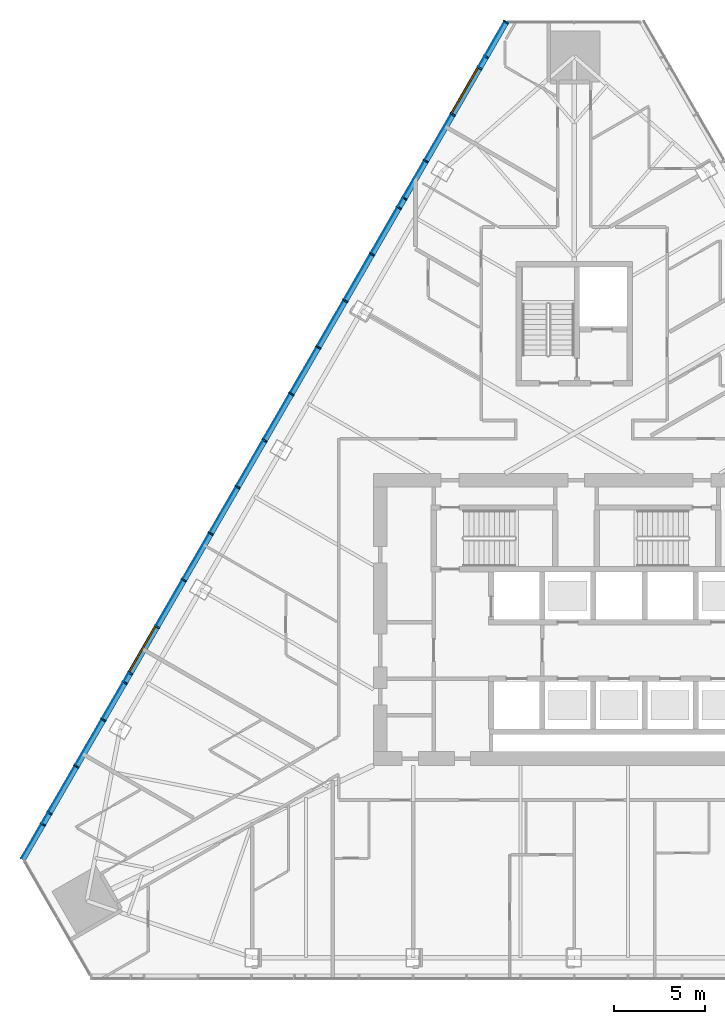
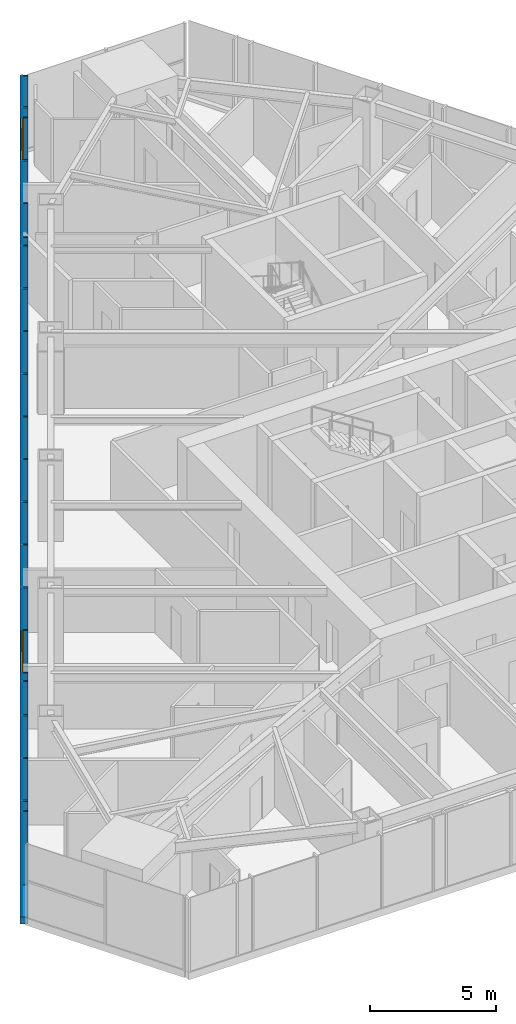
# One storey, part 5 of 19: 23 members, 20 plates, 2 windows, 2 openings, 1 element without a shape of its own.
"""IFC4 building model written with IfcOpenShell, lengths in metres."""

from ifc_helpers import new_model, si_unit, direction, frame, frame_2d, origin, origin_2d, place, context, subcontext, project, spatial, polyline, rectangle, outline, extrude, material, layer, layer_set, material_profile, profile_set, type_object, element, fill, aggregate, save


model = new_model("IFC4")

# Units and contexts
model_context = context("Model", 3, precision=1e-05, world=origin(), true_north=direction((0.0, 1.0)))
body_context = subcontext(model_context, "Body", "Model", "MODEL_VIEW")
ifc_project = project(units=[si_unit("LENGTHUNIT", "METRE"), si_unit("AREAUNIT", "SQUARE_METRE"), si_unit("VOLUMEUNIT", "CUBIC_METRE"), si_unit("PLANEANGLEUNIT", "RADIAN"), si_unit("MASSUNIT", "GRAM", prefix="KILO")], contexts=[model_context])

# Site, building, storey
site_placement = place(None, origin())
site = spatial("IfcSite", under=ifc_project, at=site_placement, CompositionType="ELEMENT")
building_placement = place(site_placement, origin())
building = spatial("IfcBuilding", under=site, at=building_placement, Name="Firuza Gate Tower and Library", CompositionType="ELEMENT")
storey_placement = place(building_placement, frame((0.0, 0.0, 183.10009765625)))
storey = spatial("IfcBuildingStorey", under=building, at=storey_placement, Name="L42", CompositionType="ELEMENT", Elevation=183.10009765625)

# Curtain wall, openings, members, plates, windows
ifc_material_1 = material(Name="Aluminium 6063-T6", Category="aluminium")
ifc_layer_1 = layer(ifc_material_1, 0.14990234375)
ifc_layer_set_1 = layer_set([ifc_layer_1], Name="Unitised curtain wall, hotel")
curtain_wall_type = type_object("IfcCurtainWallType", Name="Unitised curtain wall, hotel", PredefinedType="NOTDEFINED", material=ifc_layer_set_1)
curtain_wall_placement = place(storey_placement, origin())
curtain_wall = element("IfcCurtainWall", 1, at=curtain_wall_placement, inside=storey, type_object=curtain_wall_type, Name="CW2 L42 W face", PredefinedType="NOTDEFINED")
opening_1_placement = place(curtain_wall_placement, frame((69.71630859375, 105.21923828125, 0.14990234375), z_axis=(0.0, 0.0, 1.0), x_axis=(-0.5, -0.866025, 0.0)))
opening_1 = element("IfcOpeningElement", 2, at=opening_1_placement, cuts=curtain_wall, Name="Opening WD1-005", PredefinedType="OPENING", context=body_context, shape_type="SweptSolid", body=[
    extrude(rectangle(XDim=2.8662109375, YDim=3.550048828125, at=frame_2d((1.43310546875, 1.77490234375))), frame((0.0, 0.0849609375, 0.0), z_axis=(0.0, -1.0, 0.0), x_axis=(1.0, 0.0, 0.0)), (0.0, 0.0, 1.0), 0.169921875),
])
opening_2_placement = place(curtain_wall_placement, frame((52.039794921875, 74.6025390625, 0.14990234375), z_axis=(0.0, 0.0, 1.0), x_axis=(-0.5, -0.866025, 0.0)))
opening_2 = element("IfcOpeningElement", 3, at=opening_2_placement, cuts=curtain_wall, Name="Opening WD1-006", PredefinedType="OPENING", context=body_context, shape_type="SweptSolid", body=[
    extrude(rectangle(XDim=2.8662109375, YDim=3.550048828125, at=frame_2d((1.43310546875, 1.77490234375))), frame((0.0, 0.0849609375, 0.0), z_axis=(0.0, -1.0, 0.0), x_axis=(1.0, 0.0, 0.0)), (0.0, 0.0, 1.0), 0.169921875),
])
ifc_material_2 = material(Name="Aluminium 6063-T6", Category="aluminium")
ifc_material_profile_1 = material_profile(ifc_material_2, rectangle(XDim=0.320068359375, YDim=0.080078125, at=origin_2d()))
ifc_profile_set_1 = profile_set([ifc_material_profile_1], Name="Aluminium 6063-T6")
member_type_1 = type_object("IfcMemberType", Name="Curtain wall mullion 80x320", PredefinedType="MULLION", material=ifc_profile_set_1)
member_1_placement = place(storey_placement, frame((71.26318359375, 107.72802734375, 0.14990234375), z_axis=(0.0, 0.0, 1.0), x_axis=(0.866025403784, -0.5, 0.0)))
member_1 = element("IfcMember", 4, at=member_1_placement, type_object=member_type_1, Name="Mullion", PredefinedType="MULLION", context=body_context, shape_type="SweptSolid", body=[
    extrude(rectangle(XDim=0.320068359375, YDim=0.080078125, at=origin_2d()), origin(), (0.0, 0.0, 1.0), 3.550048828125),
])
member_2_placement = place(storey_placement, frame((69.81005859375, 105.211181640625, 0.14990234375), z_axis=(0.0, 0.0, 1.0), x_axis=(0.866025403784, -0.5, 0.0)))
member_2 = element("IfcMember", 5, at=member_2_placement, type_object=member_type_1, Name="Mullion", PredefinedType="MULLION", context=body_context, shape_type="SweptSolid", body=[
    extrude(rectangle(XDim=0.320068359375, YDim=0.080078125, at=origin_2d()), origin(), (0.0, 0.0, 1.0), 3.550048828125),
])
member_3_placement = place(storey_placement, frame((68.3369140625, 102.659912109375, 0.14990234375), z_axis=(0.0, 0.0, 1.0), x_axis=(0.866025403784, -0.5, 0.0)))
member_3 = element("IfcMember", 6, at=member_3_placement, type_object=member_type_1, Name="Mullion", PredefinedType="MULLION", context=body_context, shape_type="SweptSolid", body=[
    extrude(rectangle(XDim=0.320068359375, YDim=0.080078125, at=origin_2d()), origin(), (0.0, 0.0, 1.0), 3.550048828125),
])
member_4_placement = place(storey_placement, frame((66.864013671875, 100.1083984375, 0.14990234375), z_axis=(0.0, 0.0, 1.0), x_axis=(0.866025403784, -0.5, 0.0)))
member_4 = element("IfcMember", 7, at=member_4_placement, type_object=member_type_1, Name="Mullion", PredefinedType="MULLION", context=body_context, shape_type="SweptSolid", body=[
    extrude(rectangle(XDim=0.320068359375, YDim=0.080078125, at=origin_2d()), origin(), (0.0, 0.0, 1.0), 3.550048828125),
])
member_5_placement = place(storey_placement, frame((65.390869140625, 97.55712890625, 0.14990234375), z_axis=(0.0, 0.0, 1.0), x_axis=(0.866025403784, -0.5, 0.0)))
member_5 = element("IfcMember", 8, at=member_5_placement, type_object=member_type_1, Name="Mullion", PredefinedType="MULLION", context=body_context, shape_type="SweptSolid", body=[
    extrude(rectangle(XDim=0.320068359375, YDim=0.080078125, at=origin_2d()), origin(), (0.0, 0.0, 1.0), 3.550048828125),
])
member_6_placement = place(storey_placement, frame((63.917724609375, 95.005615234375, 0.14990234375), z_axis=(0.0, 0.0, 1.0), x_axis=(0.866025403784, -0.5, 0.0)))
member_6 = element("IfcMember", 9, at=member_6_placement, type_object=member_type_1, Name="Mullion", PredefinedType="MULLION", context=body_context, shape_type="SweptSolid", body=[
    extrude(rectangle(XDim=0.320068359375, YDim=0.080078125, at=origin_2d()), origin(), (0.0, 0.0, 1.0), 3.550048828125),
])
member_7_placement = place(storey_placement, frame((62.44482421875, 92.454345703125, 0.14990234375), z_axis=(0.0, 0.0, 1.0), x_axis=(0.866025403784, -0.5, 0.0)))
member_7 = element("IfcMember", 10, at=member_7_placement, type_object=member_type_1, Name="Mullion", PredefinedType="MULLION", context=body_context, shape_type="SweptSolid", body=[
    extrude(rectangle(XDim=0.320068359375, YDim=0.080078125, at=origin_2d()), origin(), (0.0, 0.0, 1.0), 3.550048828125),
])
member_8_placement = place(storey_placement, frame((60.9716796875, 89.90283203125, 0.14990234375), z_axis=(0.0, 0.0, 1.0), x_axis=(0.866025403784, -0.5, 0.0)))
member_8 = element("IfcMember", 11, at=member_8_placement, type_object=member_type_1, Name="Mullion", PredefinedType="MULLION", context=body_context, shape_type="SweptSolid", body=[
    extrude(rectangle(XDim=0.320068359375, YDim=0.080078125, at=origin_2d()), origin(), (0.0, 0.0, 1.0), 3.550048828125),
])
member_9_placement = place(storey_placement, frame((59.498779296875, 87.3515625, 0.14990234375), z_axis=(0.0, 0.0, 1.0), x_axis=(0.866025403784, -0.5, 0.0)))
member_9 = element("IfcMember", 12, at=member_9_placement, type_object=member_type_1, Name="Mullion", PredefinedType="MULLION", context=body_context, shape_type="SweptSolid", body=[
    extrude(rectangle(XDim=0.320068359375, YDim=0.080078125, at=origin_2d()), origin(), (0.0, 0.0, 1.0), 3.550048828125),
])
member_10_placement = place(storey_placement, frame((58.025634765625, 84.800048828125, 0.14990234375), z_axis=(0.0, 0.0, 1.0), x_axis=(0.866025403784, -0.5, 0.0)))
member_10 = element("IfcMember", 13, at=member_10_placement, type_object=member_type_1, Name="Mullion", PredefinedType="MULLION", context=body_context, shape_type="SweptSolid", body=[
    extrude(rectangle(XDim=0.320068359375, YDim=0.080078125, at=origin_2d()), origin(), (0.0, 0.0, 1.0), 3.550048828125),
])
member_11_placement = place(storey_placement, frame((56.552490234375, 82.248779296875, 0.14990234375), z_axis=(0.0, 0.0, 1.0), x_axis=(0.866025403784, -0.5, 0.0)))
member_11 = element("IfcMember", 14, at=member_11_placement, type_object=member_type_1, Name="Mullion", PredefinedType="MULLION", context=body_context, shape_type="SweptSolid", body=[
    extrude(rectangle(XDim=0.320068359375, YDim=0.080078125, at=origin_2d()), origin(), (0.0, 0.0, 1.0), 3.550048828125),
])
member_12_placement = place(storey_placement, frame((55.07958984375, 79.697265625, 0.14990234375), z_axis=(0.0, 0.0, 1.0), x_axis=(0.866025403784, -0.5, 0.0)))
member_12 = element("IfcMember", 15, at=member_12_placement, type_object=member_type_1, Name="Mullion", PredefinedType="MULLION", context=body_context, shape_type="SweptSolid", body=[
    extrude(rectangle(XDim=0.320068359375, YDim=0.080078125, at=origin_2d()), origin(), (0.0, 0.0, 1.0), 3.550048828125),
])
member_13_placement = place(storey_placement, frame((53.6064453125, 77.14599609375, 0.14990234375), z_axis=(0.0, 0.0, 1.0), x_axis=(0.866025403784, -0.5, 0.0)))
member_13 = element("IfcMember", 16, at=member_13_placement, type_object=member_type_1, Name="Mullion", PredefinedType="MULLION", context=body_context, shape_type="SweptSolid", body=[
    extrude(rectangle(XDim=0.320068359375, YDim=0.080078125, at=origin_2d()), origin(), (0.0, 0.0, 1.0), 3.550048828125),
])
member_14_placement = place(storey_placement, frame((52.133544921875, 74.594482421875, 0.14990234375), z_axis=(0.0, 0.0, 1.0), x_axis=(0.866025403784, -0.5, 0.0)))
member_14 = element("IfcMember", 17, at=member_14_placement, type_object=member_type_1, Name="Mullion", PredefinedType="MULLION", context=body_context, shape_type="SweptSolid", body=[
    extrude(rectangle(XDim=0.320068359375, YDim=0.080078125, at=origin_2d()), origin(), (0.0, 0.0, 1.0), 3.550048828125),
])
member_15_placement = place(storey_placement, frame((50.660400390625, 72.043212890625, 0.14990234375), z_axis=(0.0, 0.0, 1.0), x_axis=(0.866025403784, -0.5, 0.0)))
member_15 = element("IfcMember", 18, at=member_15_placement, type_object=member_type_1, Name="Mullion", PredefinedType="MULLION", context=body_context, shape_type="SweptSolid", body=[
    extrude(rectangle(XDim=0.320068359375, YDim=0.080078125, at=origin_2d()), origin(), (0.0, 0.0, 1.0), 3.550048828125),
])
member_16_placement = place(storey_placement, frame((49.187255859375, 69.49169921875, 0.14990234375), z_axis=(0.0, 0.0, 1.0), x_axis=(0.866025403784, -0.5, 0.0)))
member_16 = element("IfcMember", 19, at=member_16_placement, type_object=member_type_1, Name="Mullion", PredefinedType="MULLION", context=body_context, shape_type="SweptSolid", body=[
    extrude(rectangle(XDim=0.320068359375, YDim=0.080078125, at=origin_2d()), origin(), (0.0, 0.0, 1.0), 3.550048828125),
])
member_17_placement = place(storey_placement, frame((47.71435546875, 66.9404296875, 0.14990234375), z_axis=(0.0, 0.0, 1.0), x_axis=(0.866025403784, -0.5, 0.0)))
member_17 = element("IfcMember", 20, at=member_17_placement, type_object=member_type_1, Name="Mullion", PredefinedType="MULLION", context=body_context, shape_type="SweptSolid", body=[
    extrude(rectangle(XDim=0.320068359375, YDim=0.080078125, at=origin_2d()), origin(), (0.0, 0.0, 1.0), 3.550048828125),
])
member_18_placement = place(storey_placement, frame((46.2412109375, 64.388916015625, 0.14990234375), z_axis=(0.0, 0.0, 1.0), x_axis=(0.866025403784, -0.5, 0.0)))
member_18 = element("IfcMember", 21, at=member_18_placement, type_object=member_type_1, Name="Mullion", PredefinedType="MULLION", context=body_context, shape_type="SweptSolid", body=[
    extrude(rectangle(XDim=0.320068359375, YDim=0.080078125, at=origin_2d()), origin(), (0.0, 0.0, 1.0), 3.550048828125),
])
member_19_placement = place(storey_placement, frame((70.1669921875, 105.82958984375, 0.14990234375), z_axis=(0.0, 0.0, 1.0), x_axis=(0.866025403784, -0.5, 0.0)))
member_19 = element("IfcMember", 22, at=member_19_placement, type_object=member_type_1, Name="Mullion", PredefinedType="MULLION", context=body_context, shape_type="SweptSolid", body=[
    extrude(rectangle(XDim=0.320068359375, YDim=0.080078125, at=origin_2d()), origin(), (0.0, 0.0, 1.0), 3.550048828125),
])
member_20_placement = place(storey_placement, frame((65.68603515625, 98.068359375, 0.14990234375), z_axis=(0.0, 0.0, 1.0), x_axis=(0.866025403784, -0.5, 0.0)))
member_20 = element("IfcMember", 23, at=member_20_placement, type_object=member_type_1, Name="Mullion", PredefinedType="MULLION", context=body_context, shape_type="SweptSolid", body=[
    extrude(rectangle(XDim=0.320068359375, YDim=0.080078125, at=origin_2d()), origin(), (0.0, 0.0, 1.0), 3.550048828125),
])
member_21_placement = place(storey_placement, frame((50.365234375, 71.53173828125, 0.14990234375), z_axis=(0.0, 0.0, 1.0), x_axis=(0.866025403784, -0.5, 0.0)))
member_21 = element("IfcMember", 24, at=member_21_placement, type_object=member_type_1, Name="Mullion", PredefinedType="MULLION", context=body_context, shape_type="SweptSolid", body=[
    extrude(rectangle(XDim=0.320068359375, YDim=0.080078125, at=origin_2d()), origin(), (0.0, 0.0, 1.0), 3.550048828125),
])
member_22_placement = place(storey_placement, frame((45.88427734375, 63.7705078125, 0.14990234375), z_axis=(0.0, 0.0, 1.0), x_axis=(0.866025403784, -0.5, 0.0)))
member_22 = element("IfcMember", 25, at=member_22_placement, type_object=member_type_1, Name="Mullion", PredefinedType="MULLION", context=body_context, shape_type="SweptSolid", body=[
    extrude(rectangle(XDim=0.320068359375, YDim=0.080078125, at=origin_2d()), origin(), (0.0, 0.0, 1.0), 3.550048828125),
])
ifc_material_3 = material(Name="Aluminium 6063-T6", Category="aluminium")
ifc_material_profile_2 = material_profile(ifc_material_3, rectangle(XDim=0.320068359375, YDim=0.35009765625, at=origin_2d()))
ifc_profile_set_2 = profile_set([ifc_material_profile_2], Name="Aluminium 6063-T6")
member_type_2 = type_object("IfcMemberType", Name="Curtain wall transom 350x320", PredefinedType="USERDEFINED", material=ifc_profile_set_2)
member_23_placement = place(storey_placement, frame((71.283203125, 107.7626953125, -0.025146484375), z_axis=(-0.500000753464, -0.866024968771, 0.0), x_axis=(0.866024968771, -0.500000753464, 0.0)))
member_23 = element("IfcMember", 26, at=member_23_placement, type_object=member_type_2, Name="Transom", ObjectType="TRANSOM", PredefinedType="USERDEFINED", context=body_context, shape_type="SweptSolid", body=[
    extrude(rectangle(XDim=0.320068359375, YDim=0.35009765625, at=origin_2d()), origin(), (0.0, 0.0, 1.0), 53.02978515625),
])
ifc_material_4 = material(Name="Fritted glass", Category="glass")
ifc_layer_2 = layer(ifc_material_4, 0.030029296875)
ifc_layer_set_2 = layer_set([ifc_layer_2], Name="Fritted glass unit, hotel")
plate_type_1 = type_object("IfcPlateType", Name="Fritted glass unit, hotel", PredefinedType="CURTAIN_PANEL", material=ifc_layer_set_2)
plate_1_placement = place(storey_placement, frame((70.060546875, 105.844970703125, 0.14990234375), z_axis=(-0.86593548506, 0.500155711468, 0.0), x_axis=(-0.500155711468, -0.86593548506, 0.0)))
plate_1 = element("IfcPlate", 27, at=plate_1_placement, type_object=plate_type_1, Name="Glass unit", PredefinedType="CURTAIN_PANEL", context=body_context, shape_type="SweptSolid", body=[
    extrude(outline(polyline([(0.0, 0.0), (0.6340798767325844, 0.0), (0.6340798767325844, 3.550048828125), (0.0, 3.550048828125), (0.0, 0.0)])), origin(), (0.0, 0.0, -1.0), 0.030029296875),
])
plate_2_placement = place(storey_placement, frame((65.57958984375, 98.083740234375, 0.14990234375), z_axis=(-0.865819023004, 0.500357291747, 0.0), x_axis=(-0.500357291747, -0.865819023004, 0.0)))
plate_2 = element("IfcPlate", 28, at=plate_2_placement, type_object=plate_type_1, Name="Glass unit", PredefinedType="CURTAIN_PANEL", context=body_context, shape_type="SweptSolid", body=[
    extrude(outline(polyline([(0.0, 0.0), (0.5103774801769064, 0.0), (0.5103774801769064, 3.550048828125), (0.0, 3.550048828125), (0.0, 0.0)])), origin(), (0.0, 0.0, -1.0), 0.030029296875),
])
plate_3_placement = place(storey_placement, frame((65.2841796875, 97.572509765625, 0.14990234375), z_axis=(-0.866059343325, 0.499941210384, 0.0), x_axis=(-0.499941210384, -0.866059343325, 0.0)))
plate_3 = element("IfcPlate", 29, at=plate_3_placement, type_object=plate_type_1, Name="Glass unit", PredefinedType="CURTAIN_PANEL", context=body_context, shape_type="SweptSolid", body=[
    extrude(outline(polyline([(0.0, 0.0), (2.8660596453429132, 0.0), (2.8660596453429132, 3.550048828125001), (0.0, 3.550048828125001), (0.0, 0.0)])), origin(), (0.0, 0.0, -1.0), 0.030029296875),
])
plate_4_placement = place(storey_placement, frame((60.865234375, 89.918212890625, 0.14990234375), z_axis=(-0.866001162221, 0.500041985268, 0.0), x_axis=(-0.500041985268, -0.866001162221, 0.0)))
plate_4 = element("IfcPlate", 30, at=plate_4_placement, type_object=plate_type_1, Name="Glass unit", PredefinedType="CURTAIN_PANEL", context=body_context, shape_type="SweptSolid", body=[
    extrude(outline(polyline([(0.0, 0.0), (2.865970280436618, 0.0), (2.865970280436618, 3.550048828125), (0.0, 3.550048828125), (0.0, 0.0)])), origin(), (0.0, 0.0, -1.0), 0.030029296875),
])
plate_5_placement = place(storey_placement, frame((56.446044921875, 82.26416015625, 0.14990234375), z_axis=(-0.866022459948, 0.500005098839, 0.0), x_axis=(-0.500005098839, -0.866022459948, 0.0)))
plate_5 = element("IfcPlate", 31, at=plate_5_placement, type_object=plate_type_1, Name="Glass unit", PredefinedType="CURTAIN_PANEL", context=body_context, shape_type="SweptSolid", body=[
    extrude(outline(polyline([(0.0, 0.0), (2.8661817091015296, 0.0), (2.8661817091015296, 3.550048828125), (0.0, 3.550048828125), (0.0, 0.0)])), origin(), (0.0, 0.0, -1.0), 0.030029296875),
])
plate_6_placement = place(storey_placement, frame((50.5537109375, 72.05859375, 0.14990234375), z_axis=(-0.866145771757, 0.499791458579, 0.0), x_axis=(-0.499791458579, -0.866145771757, 0.0)))
plate_6 = element("IfcPlate", 32, at=plate_6_placement, type_object=plate_type_1, Name="Glass unit", PredefinedType="CURTAIN_PANEL", context=body_context, shape_type="SweptSolid", body=[
    extrude(outline(polyline([(0.0, 0.0), (0.5104668131996779, 0.0), (0.5104668131996779, 3.550048828125), (0.0, 3.550048828125), (0.0, 0.0)])), origin(), (0.0, 0.0, -1.0), 0.030029296875),
])
plate_7_placement = place(storey_placement, frame((47.607666015625, 66.955810546875, 0.14990234375), z_axis=(-0.866022459948, 0.500005098839, 0.0), x_axis=(-0.500005098839, -0.866022459948, 0.0)))
plate_7 = element("IfcPlate", 33, at=plate_7_placement, type_object=plate_type_1, Name="Glass unit", PredefinedType="CURTAIN_PANEL", context=body_context, shape_type="SweptSolid", body=[
    extrude(outline(polyline([(0.0, 0.0), (2.8661817091015296, 0.0), (2.8661817091015296, 3.550048828125), (0.0, 3.550048828125), (0.0, 0.0)])), origin(), (0.0, 0.0, -1.0), 0.030029296875),
])
plate_8_placement = place(storey_placement, frame((46.134765625, 64.404296875, 0.14990234375), z_axis=(-0.86593548506, 0.500155711468, 0.0), x_axis=(-0.500155711468, -0.86593548506, 0.0)))
plate_8 = element("IfcPlate", 34, at=plate_8_placement, type_object=plate_type_1, Name="Glass unit", PredefinedType="CURTAIN_PANEL", context=body_context, shape_type="SweptSolid", body=[
    extrude(outline(polyline([(0.0, 0.0), (0.6340798767325844, 0.0), (0.6340798767325844, 3.550048828125), (0.0, 3.550048828125), (0.0, 0.0)])), origin(), (0.0, 0.0, -1.0), 0.030029296875),
])
ifc_material_5 = material(Name="Glazed ceramic tile")
ifc_layer_3 = layer(ifc_material_5, 0.030029296875)
ifc_layer_set_3 = layer_set([ifc_layer_3], Name="Opaque ceramic panel, hotel")
plate_type_2 = type_object("IfcPlateType", Name="Opaque ceramic panel, hotel", PredefinedType="CURTAIN_PANEL", material=ifc_layer_set_3)
plate_9_placement = place(storey_placement, frame((71.176513671875, 107.778076171875, 0.14990234375), z_axis=(-0.866049569431, 0.499958141536, 0.0), x_axis=(-0.499958141536, -0.866049569431, 0.0)))
plate_9 = element("IfcPlate", 35, at=plate_9_placement, type_object=plate_type_2, Name="Opaque ceramic panel", PredefinedType="CURTAIN_PANEL", context=body_context, shape_type="SweptSolid", body=[
    extrude(outline(polyline([(0.0, 0.0), (2.1520356305631108, 0.0), (2.1520356305631108, 3.550048828125), (0.0, 3.550048828125), (0.0, 0.0)])), origin(), (0.0, 0.0, -1.0), 0.030029296875),
])
plate_10_placement = place(storey_placement, frame((68.23046875, 102.67529296875, 0.14990234375), z_axis=(-0.866022459948, 0.500005098839, 0.0), x_axis=(-0.500005098839, -0.866022459948, 0.0)))
plate_10 = element("IfcPlate", 36, at=plate_10_placement, type_object=plate_type_2, Name="Opaque ceramic panel", PredefinedType="CURTAIN_PANEL", context=body_context, shape_type="SweptSolid", body=[
    extrude(outline(polyline([(0.0, 0.0), (2.8661817091015296, 0.0), (2.8661817091015296, 3.550048828125), (0.0, 3.550048828125), (0.0, 0.0)])), origin(), (0.0, 0.0, -1.0), 0.030029296875),
])
plate_11_placement = place(storey_placement, frame((66.75732421875, 100.123779296875, 0.14990234375), z_axis=(-0.865996199233, 0.500050580355, 0.0), x_axis=(-0.500050580355, -0.865996199233, 0.0)))
plate_11 = element("IfcPlate", 37, at=plate_11_placement, type_object=plate_type_2, Name="Opaque ceramic panel", PredefinedType="CURTAIN_PANEL", context=body_context, shape_type="SweptSolid", body=[
    extrude(outline(polyline([(0.0, 0.0), (2.2756487000113155, 0.0), (2.2756487000113155, 3.550048828125), (0.0, 3.550048828125), (0.0, 0.0)])), origin(), (0.0, 0.0, -1.0), 0.030029296875),
])
plate_12_placement = place(storey_placement, frame((63.811279296875, 95.02099609375, 0.14990234375), z_axis=(-0.866001162221, 0.500041985268, 0.0), x_axis=(-0.500041985268, -0.866001162221, 0.0)))
plate_12 = element("IfcPlate", 38, at=plate_12_placement, type_object=plate_type_2, Name="Opaque ceramic panel", PredefinedType="CURTAIN_PANEL", context=body_context, shape_type="SweptSolid", body=[
    extrude(outline(polyline([(0.0, 0.0), (2.865970280436618, 0.0), (2.865970280436618, 3.550048828125), (0.0, 3.550048828125), (0.0, 0.0)])), origin(), (0.0, 0.0, -1.0), 0.030029296875),
])
plate_13_placement = place(storey_placement, frame((62.338134765625, 92.4697265625, 0.14990234375), z_axis=(-0.866022459948, 0.500005098839, 0.0), x_axis=(-0.500005098839, -0.866022459948, 0.0)))
plate_13 = element("IfcPlate", 39, at=plate_13_placement, type_object=plate_type_2, Name="Opaque ceramic panel", PredefinedType="CURTAIN_PANEL", context=body_context, shape_type="SweptSolid", body=[
    extrude(outline(polyline([(0.0, 0.0), (2.8661817091015296, 0.0), (2.8661817091015296, 3.550048828125), (0.0, 3.550048828125), (0.0, 0.0)])), origin(), (0.0, 0.0, -1.0), 0.030029296875),
])
plate_14_placement = place(storey_placement, frame((59.39208984375, 87.366943359375, 0.14990234375), z_axis=(-0.866022459948, 0.500005098839, 0.0), x_axis=(-0.500005098839, -0.866022459948, 0.0)))
plate_14 = element("IfcPlate", 40, at=plate_14_placement, type_object=plate_type_2, Name="Opaque ceramic panel", PredefinedType="CURTAIN_PANEL", context=body_context, shape_type="SweptSolid", body=[
    extrude(outline(polyline([(0.0, 0.0), (2.8661817091015296, 0.0), (2.8661817091015296, 3.550048828125), (0.0, 3.550048828125), (0.0, 0.0)])), origin(), (0.0, 0.0, -1.0), 0.030029296875),
])
plate_15_placement = place(storey_placement, frame((57.9189453125, 84.8154296875, 0.14990234375), z_axis=(-0.866038050133, 0.499978095242, 0.0), x_axis=(-0.499978095242, -0.866038050133, 0.0)))
plate_15 = element("IfcPlate", 41, at=plate_15_placement, type_object=plate_type_2, Name="Opaque ceramic panel", PredefinedType="CURTAIN_PANEL", context=body_context, shape_type="SweptSolid", body=[
    extrude(outline(polyline([(0.0, 0.0), (2.865848207672718, 0.0), (2.865848207672718, 3.550048828125), (0.0, 3.550048828125), (0.0, 0.0)])), origin(), (0.0, 0.0, -1.0), 0.030029296875),
])
plate_16_placement = place(storey_placement, frame((54.972900390625, 79.712646484375, 0.14990234375), z_axis=(-0.866001162221, 0.500041985268, 0.0), x_axis=(-0.500041985268, -0.866001162221, 0.0)))
plate_16 = element("IfcPlate", 42, at=plate_16_placement, type_object=plate_type_2, Name="Opaque ceramic panel", PredefinedType="CURTAIN_PANEL", context=body_context, shape_type="SweptSolid", body=[
    extrude(outline(polyline([(0.0, 0.0), (2.865970280436618, 0.0), (2.865970280436618, 3.550048828125), (0.0, 3.550048828125), (0.0, 0.0)])), origin(), (0.0, 0.0, -1.0), 0.030029296875),
])
plate_17_placement = place(storey_placement, frame((53.5, 77.161376953125, 0.14990234375), z_axis=(-0.866022459948, 0.500005098839, 0.0), x_axis=(-0.500005098839, -0.866022459948, 0.0)))
plate_17 = element("IfcPlate", 43, at=plate_17_placement, type_object=plate_type_2, Name="Opaque ceramic panel", PredefinedType="CURTAIN_PANEL", context=body_context, shape_type="SweptSolid", body=[
    extrude(outline(polyline([(0.0, 0.0), (2.8661817091015296, 0.0), (2.8661817091015296, 3.550048828125), (0.0, 3.550048828125), (0.0, 0.0)])), origin(), (0.0, 0.0, -1.0), 0.030029296875),
])
plate_18_placement = place(storey_placement, frame((50.258544921875, 71.547119140625, 0.14990234375), z_axis=(-0.866042656442, 0.49997011633, 0.0), x_axis=(-0.49997011633, -0.866042656442, 0.0)))
plate_18 = element("IfcPlate", 44, at=plate_18_placement, type_object=plate_type_2, Name="Opaque ceramic panel", PredefinedType="CURTAIN_PANEL", context=body_context, shape_type="SweptSolid", body=[
    extrude(outline(polyline([(0.0, 0.0), (2.275526627172101, 0.0), (2.275526627172101, 3.550048828125), (0.0, 3.550048828125), (0.0, 0.0)])), origin(), (0.0, 0.0, -1.0), 0.030029296875),
])
plate_19_placement = place(storey_placement, frame((49.080810546875, 69.507080078125, 0.14990234375), z_axis=(-0.866022459948, 0.500005098839, 0.0), x_axis=(-0.500005098839, -0.866022459948, 0.0)))
plate_19 = element("IfcPlate", 45, at=plate_19_placement, type_object=plate_type_2, Name="Opaque ceramic panel", PredefinedType="CURTAIN_PANEL", context=body_context, shape_type="SweptSolid", body=[
    extrude(outline(polyline([(0.0, 0.0), (2.8661817091015296, 0.0), (2.8661817091015296, 3.550048828125), (0.0, 3.550048828125), (0.0, 0.0)])), origin(), (0.0, 0.0, -1.0), 0.030029296875),
])
plate_20_placement = place(storey_placement, frame((45.777587890625, 63.785888671875, 0.14990234375), z_axis=(-0.866049569431, 0.499958141536, 0.0), x_axis=(-0.499958141536, -0.866049569431, 0.0)))
plate_20 = element("IfcPlate", 46, at=plate_20_placement, type_object=plate_type_2, Name="Opaque ceramic panel", PredefinedType="CURTAIN_PANEL", context=body_context, shape_type="SweptSolid", body=[
    extrude(outline(polyline([(0.0, 0.0), (2.1520356305631108, 0.0), (2.1520356305631108, 3.550048828125), (0.0, 3.550048828125), (0.0, 0.0)])), origin(), (0.0, 0.0, -1.0), 0.030029296875),
])
aggregate(curtain_wall, [member_1, member_2, member_3, member_4, member_5, member_6, member_7, member_8, member_9, member_10, member_11, member_12, member_13, member_14, member_15, member_16, member_17, member_18, member_23, plate_9, plate_1, member_19, plate_10, plate_11, plate_2, member_20, plate_3, plate_12, plate_13, plate_4, plate_14, plate_15, plate_5, plate_16, plate_17, plate_6, plate_18, member_21, plate_19, plate_7, plate_8, plate_20, member_22])
ifc_material_6 = material(Name="Aluminium 6063-T6 and glass", Category="aluminium")
ifc_layer_4 = layer(ifc_material_6, 0.030029296875)
ifc_layer_set_4 = layer_set([ifc_layer_4], Name="Operable glazed unit")
window_type = type_object("IfcWindowType", Name="Operable glazed unit", PartitioningType="SINGLE_PANEL", PredefinedType="WINDOW", material=ifc_layer_set_4)
window_1_placement = place(opening_1_placement, origin())
window_1 = element("IfcWindow", 47, at=window_1_placement, inside=storey, type_object=window_type, Name="Operable glazed unit", OverallHeight=3.550048828125, OverallWidth=2.8662109375, PartitioningType="SINGLE_PANEL", PredefinedType="WINDOW", context=body_context, shape_type="SweptSolid", body=[
    extrude(rectangle(XDim=2.8662109375, YDim=3.550048828125, at=frame_2d((1.43310546875, 1.77490234375))), frame((0.0, 0.030029296875, 0.0), z_axis=(0.0, -1.0, 0.0), x_axis=(1.0, 0.0, 0.0)), (0.0, 0.0, 1.0), 0.06005859375),
])
fill(opening_1, window_1)
window_2_placement = place(opening_2_placement, origin())
window_2 = element("IfcWindow", 48, at=window_2_placement, inside=storey, type_object=window_type, Name="Operable glazed unit", OverallHeight=3.550048828125, OverallWidth=2.8662109375, PartitioningType="SINGLE_PANEL", PredefinedType="WINDOW", context=body_context, shape_type="SweptSolid", body=[
    extrude(rectangle(XDim=2.8662109375, YDim=3.550048828125, at=frame_2d((1.43310546875, 1.77490234375))), frame((0.0, 0.030029296875, 0.0), z_axis=(0.0, -1.0, 0.0), x_axis=(1.0, 0.0, 0.0)), (0.0, 0.0, 1.0), 0.06005859375),
])
fill(opening_2, window_2)

save(model, "model.ifc")
